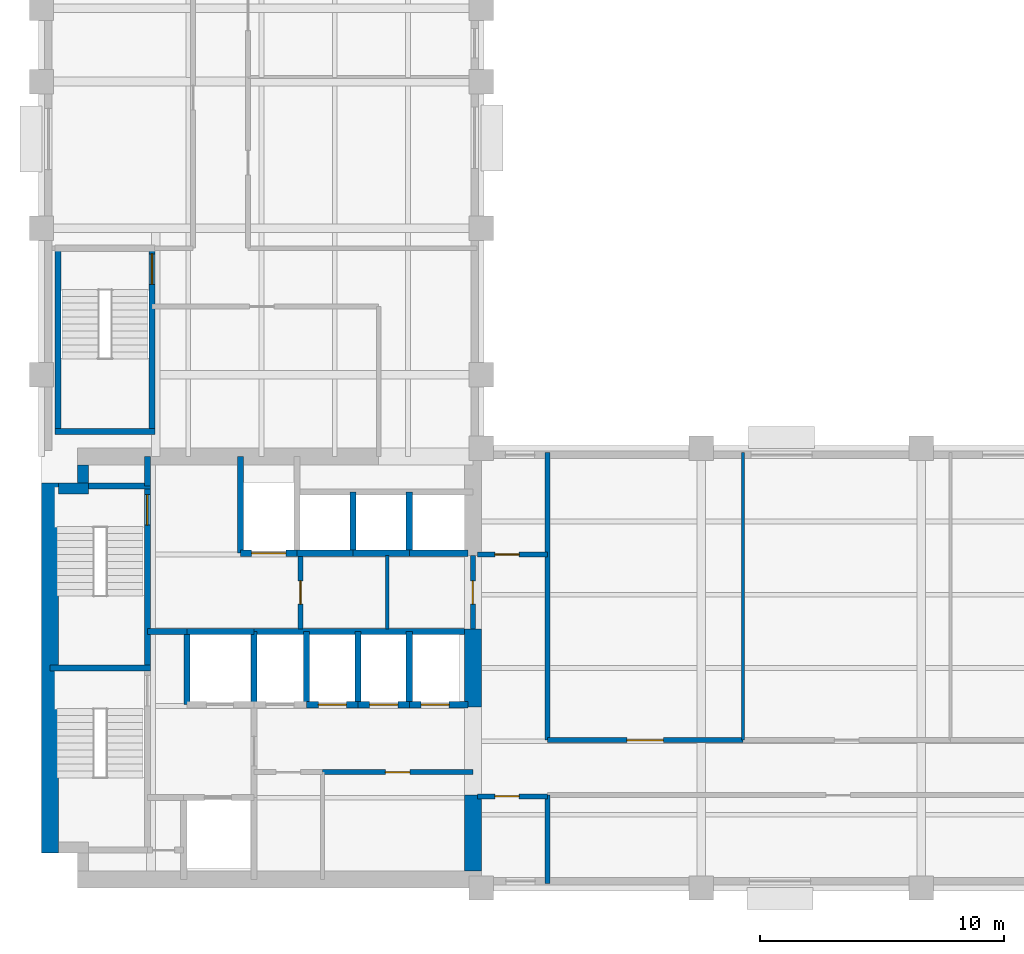
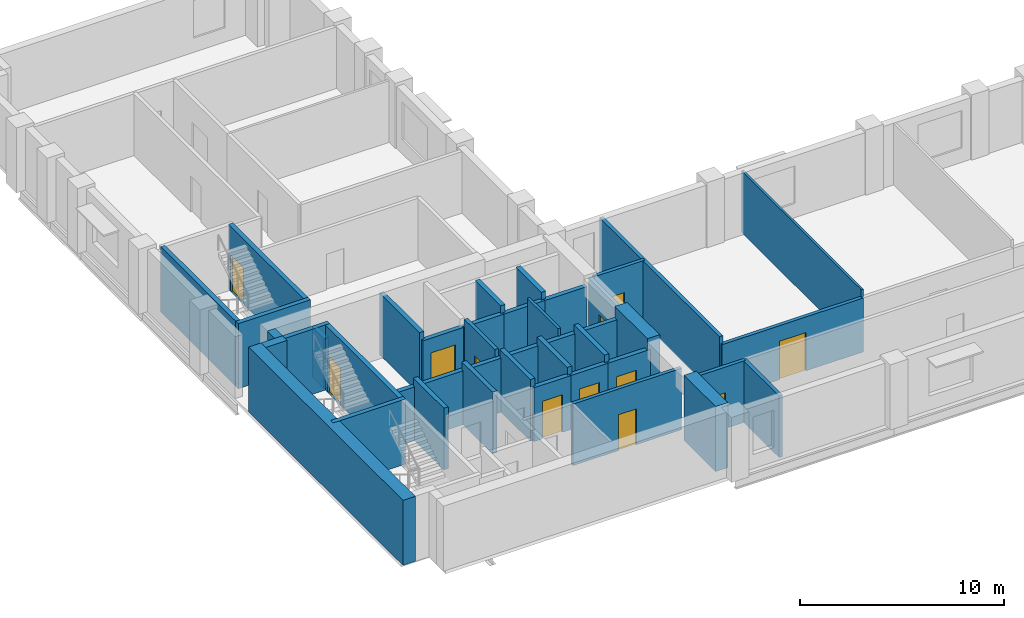
# One storey, part 3 of 8: 40 walls, 12 doors, 12 openings.
"""IFC4 building model written with IfcOpenShell, lengths in metres."""

from ifc_helpers import new_model, si_unit, direction, frame, frame_2d, origin, place, context, subcontext, project, spatial, rectangle, extrude, material, layer, layer_set, type_object, element, fill, save


model = new_model("IFC4")

# Units and contexts
model_context = context("Model", 3, precision=1e-05, world=origin(), true_north=direction((0.0, 1.0)))
body_context = subcontext(model_context, "Body", "Model", "MODEL_VIEW")
ifc_project = project(units=[si_unit("LENGTHUNIT", "METRE"), si_unit("AREAUNIT", "SQUARE_METRE"), si_unit("VOLUMEUNIT", "CUBIC_METRE"), si_unit("PLANEANGLEUNIT", "RADIAN"), si_unit("MASSUNIT", "GRAM", prefix="KILO")], contexts=[model_context])

# Site, building, storey
site_placement = place(None, origin())
site = spatial("IfcSite", under=ifc_project, at=site_placement, CompositionType="ELEMENT")
building_placement = place(site_placement, origin())
building = spatial("IfcBuilding", under=site, at=building_placement, Name="Mawjdan Bourse Tower", CompositionType="ELEMENT")
storey_placement = place(building_placement, frame((0.0, 0.0, 144.0)))
storey = spatial("IfcBuildingStorey", under=building, at=storey_placement, Name="L34", CompositionType="ELEMENT", Elevation=144.0)

# Wall, opening, door
ifc_material_1 = material(Name="Gypsum Fireboard Assembly")
ifc_layer_1 = layer(ifc_material_1, 0.199951171875)
ifc_layer_set_1 = layer_set([ifc_layer_1], Name="Gypsum Fireboard Assembly")
wall_type_1 = type_object("IfcWallType", Name="WL-CMP-200", PredefinedType="PARTITIONING", material=ifc_layer_set_1)
wall_1_placement = place(storey_placement, frame((17.5, 7.739990234375, 0.0), z_axis=(0.0, 0.0, 1.0), x_axis=(1.0, 0.0, 0.0)))
wall_1 = element("IfcWall", 1, at=wall_1_placement, inside=storey, type_object=wall_type_1, Name="L34 Reprographics & Pantry Suite North Wall", PredefinedType="PARTITIONING", context=body_context, shape_type="SweptSolid", body=[
    extrude(rectangle(XDim=6.14990234375, YDim=0.199951171875, at=frame_2d((3.074951171875, 0.0))), origin(), (0.0, 0.0, 1.0), 3.68994140625),
])
opening_1_placement = place(wall_1_placement, frame((2.574951171875, 0.0, 0.0)))
opening_1 = element("IfcOpeningElement", 2, at=opening_1_placement, cuts=wall_1, Name="Opening D-L34-11", PredefinedType="OPENING", context=body_context, shape_type="SweptSolid", body=[
    extrude(rectangle(XDim=1.0, YDim=2.14990234375, at=frame_2d((0.5, 1.074951171875))), frame((0.0, 0.10986328125, 0.0), z_axis=(0.0, -1.0, 0.0), x_axis=(1.0, 0.0, 0.0)), (0.0, 0.0, 1.0), 0.219970703125),
])
ifc_material_2 = material(Name="Hardwood Acoustic Leaf", Category="wood")
door_type_1 = type_object("IfcDoorType", Name="DR-OFC-1000", OperationType="NOTDEFINED", PredefinedType="DOOR", material=ifc_material_2)
door_1_placement = place(opening_1_placement, origin())
door_1 = element("IfcDoor", 3, at=door_1_placement, inside=storey, type_object=door_type_1, Name="L34 Reprographics & Pantry Suite Door D-L34-11", OperationType="SINGLE_SWING_RIGHT", OverallHeight=2.14990234375, OverallWidth=1.0, PredefinedType="DOOR", context=body_context, shape_type="SweptSolid", body=[
    extrude(rectangle(XDim=1.0, YDim=2.14990234375, at=frame_2d((0.5, 1.074951171875))), frame((0.0, 0.02490234375, 0.0), z_axis=(0.0, -1.0, 0.0), x_axis=(1.0, 0.0, 0.0)), (0.0, 0.0, 1.0), 0.050048828125),
])
fill(opening_1, door_1)

wall_2_placement = place(storey_placement, frame((16.60009765625, 13.60009765625, 0.0), z_axis=(0.0, 0.0, 1.0), x_axis=(0.0, 1.0, 0.0)))
wall_2 = element("IfcWall", 4, at=wall_2_placement, inside=storey, type_object=wall_type_1, Name="L34 Core Restroom West Wall", PredefinedType="PARTITIONING", context=body_context, shape_type="SweptSolid", body=[
    extrude(rectangle(XDim=3.0, YDim=0.199951171875, at=frame_2d((1.5, 0.0))), origin(), (0.0, 0.0, 1.0), 3.68994140625),
])
opening_2_placement = place(wall_2_placement, frame((1.02001953125, 0.0, 0.0)))
opening_2 = element("IfcOpeningElement", 5, at=opening_2_placement, cuts=wall_2, Name="Opening D-L34-16", PredefinedType="OPENING", context=body_context, shape_type="SweptSolid", body=[
    extrude(rectangle(XDim=0.949951171875, YDim=2.10009765625, at=frame_2d((0.47509765625, 1.050048828125))), frame((0.0, 0.10986328125, 0.0), z_axis=(0.0, -1.0, 0.0), x_axis=(1.0, 0.0, 0.0)), (0.0, 0.0, 1.0), 0.219970703125),
])
ifc_material_3 = material(Name="Moisture-Resistant Laminate Timber", Category="wood")
door_type_2 = type_object("IfcDoorType", Name="DR-WET-0950", OperationType="NOTDEFINED", PredefinedType="DOOR", material=ifc_material_3)
door_2_placement = place(opening_2_placement, origin())
door_2 = element("IfcDoor", 6, at=door_2_placement, inside=storey, type_object=door_type_2, Name="L34 Female Restroom Entry Door D-L34-16", OperationType="SINGLE_SWING_LEFT", OverallHeight=2.10009765625, OverallWidth=0.949951171875, PredefinedType="DOOR", context=body_context, shape_type="SweptSolid", body=[
    extrude(rectangle(XDim=0.949951171875, YDim=2.10009765625, at=frame_2d((0.47509765625, 1.050048828125))), frame((0.0, 0.02490234375, 0.0), z_axis=(0.0, -1.0, 0.0), x_axis=(1.0, 0.0, 0.0)), (0.0, 0.0, 1.0), 0.050048828125),
])
fill(opening_2, door_2)

wall_3_placement = place(storey_placement, frame((23.64990234375, 13.60009765625, 0.0), z_axis=(0.0, 0.0, 1.0), x_axis=(0.0, 1.0, 0.0)))
wall_3 = element("IfcWall", 7, at=wall_3_placement, inside=storey, type_object=wall_type_1, Name="L34 Core Restroom East Enclosing Wall", PredefinedType="PARTITIONING", context=body_context, shape_type="SweptSolid", body=[
    extrude(rectangle(XDim=3.0, YDim=0.199951171875, at=frame_2d((1.5, 0.0))), origin(), (0.0, 0.0, 1.0), 3.68994140625),
])
opening_3_placement = place(wall_3_placement, frame((1.02001953125, 0.0, 0.0)))
opening_3 = element("IfcOpeningElement", 8, at=opening_3_placement, cuts=wall_3, Name="Opening D-L34-17", PredefinedType="OPENING", context=body_context, shape_type="SweptSolid", body=[
    extrude(rectangle(XDim=0.949951171875, YDim=2.10009765625, at=frame_2d((0.47509765625, 1.050048828125))), frame((0.0, 0.10986328125, 0.0), z_axis=(0.0, -1.0, 0.0), x_axis=(1.0, 0.0, 0.0)), (0.0, 0.0, 1.0), 0.219970703125),
])
door_3_placement = place(opening_3_placement, origin())
door_3 = element("IfcDoor", 9, at=door_3_placement, inside=storey, type_object=door_type_2, Name="L34 Accessible WC East Entry Door D-L34-17", OperationType="SINGLE_SWING_RIGHT", OverallHeight=2.10009765625, OverallWidth=0.949951171875, PredefinedType="DOOR", context=body_context, shape_type="SweptSolid", body=[
    extrude(rectangle(XDim=0.949951171875, YDim=2.10009765625, at=frame_2d((0.47509765625, 1.050048828125))), frame((0.0, 0.02490234375, 0.0), z_axis=(0.0, -1.0, 0.0), x_axis=(1.0, 0.0, 0.0)), (0.0, 0.0, 1.0), 0.050048828125),
])
fill(opening_3, door_3)

wall_4_placement = place(storey_placement, frame((23.85009765625, 6.75, 0.0), z_axis=(0.0, 0.0, 1.0), x_axis=(1.0, 0.0, 0.0)))
wall_4 = element("IfcWall", 10, at=wall_4_placement, inside=storey, type_object=wall_type_1, Name="L34 West Pocket North Wall", PredefinedType="PARTITIONING", context=body_context, shape_type="SweptSolid", body=[
    extrude(rectangle(XDim=2.849853515625, YDim=0.199951171875, at=frame_2d((1.4248046875, 0.0))), origin(), (0.0, 0.0, 1.0), 3.68994140625),
])
opening_4_placement = place(wall_4_placement, frame((0.699951171875, 0.0, 0.0)))
opening_4 = element("IfcOpeningElement", 11, at=opening_4_placement, cuts=wall_4, Name="Opening D-L34-19", PredefinedType="OPENING", context=body_context, shape_type="SweptSolid", body=[
    extrude(rectangle(XDim=1.0, YDim=2.14990234375, at=frame_2d((0.5, 1.074951171875))), frame((0.0, 0.10986328125, 0.0), z_axis=(0.0, -1.0, 0.0), x_axis=(1.0, 0.0, 0.0)), (0.0, 0.0, 1.0), 0.219970703125),
])
door_4_placement = place(opening_4_placement, origin())
door_4 = element("IfcDoor", 12, at=door_4_placement, inside=storey, type_object=door_type_1, Name="L34 West Pocket Office Door D-L34-19", OperationType="SINGLE_SWING_RIGHT", OverallHeight=2.14990234375, OverallWidth=1.0, PredefinedType="DOOR", context=body_context, shape_type="SweptSolid", body=[
    extrude(rectangle(XDim=1.0, YDim=2.14990234375, at=frame_2d((0.5, 1.074951171875))), frame((0.0, 0.02490234375, 0.0), z_axis=(0.0, -1.0, 0.0), x_axis=(1.0, 0.0, 0.0)), (0.0, 0.0, 1.0), 0.050048828125),
])
fill(opening_4, door_4)

wall_5_placement = place(storey_placement, frame((23.85009765625, 16.64990234375, 0.0), z_axis=(0.0, 0.0, 1.0), x_axis=(1.0, 0.0, 0.0)))
wall_5 = element("IfcWall", 13, at=wall_5_placement, inside=storey, type_object=wall_type_1, Name="L34 West North Pocket Wall", PredefinedType="PARTITIONING", context=body_context, shape_type="SweptSolid", body=[
    extrude(rectangle(XDim=2.849853515625, YDim=0.199951171875, at=frame_2d((1.4248046875, 0.0))), origin(), (0.0, 0.0, 1.0), 3.68994140625),
])
opening_5_placement = place(wall_5_placement, frame((0.699951171875, 0.0, 0.0)))
opening_5 = element("IfcOpeningElement", 14, at=opening_5_placement, cuts=wall_5, Name="Opening D-L34-20", PredefinedType="OPENING", context=body_context, shape_type="SweptSolid", body=[
    extrude(rectangle(XDim=1.0, YDim=2.14990234375, at=frame_2d((0.5, 1.074951171875))), frame((0.0, 0.10986328125, 0.0), z_axis=(0.0, -1.0, 0.0), x_axis=(1.0, 0.0, 0.0)), (0.0, 0.0, 1.0), 0.219970703125),
])
door_5_placement = place(opening_5_placement, origin())
door_5 = element("IfcDoor", 15, at=door_5_placement, inside=storey, type_object=door_type_1, Name="L34 West North Pocket Door D-L34-20", OperationType="SINGLE_SWING_LEFT", OverallHeight=2.14990234375, OverallWidth=1.0, PredefinedType="DOOR", context=body_context, shape_type="SweptSolid", body=[
    extrude(rectangle(XDim=1.0, YDim=2.14990234375, at=frame_2d((0.5, 1.074951171875))), frame((0.0, 0.02490234375, 0.0), z_axis=(0.0, -1.0, 0.0), x_axis=(1.0, 0.0, 0.0)), (0.0, 0.0, 1.0), 0.050048828125),
])
fill(opening_5, door_5)

# Walls
wall_6_placement = place(storey_placement, frame((26.699951171875, 3.179931640625, 0.0), z_axis=(0.0, 0.0, 1.0), x_axis=(0.0, 1.0, 0.0)))
element("IfcWall", 16, at=wall_6_placement, inside=storey, type_object=wall_type_1, Name="L34 Vestibule South East Wall", PredefinedType="PARTITIONING", context=body_context, shape_type="SweptSolid", body=[
    extrude(rectangle(XDim=3.6201171875, YDim=0.199951171875, at=frame_2d((1.81005859375, 0.0))), origin(), (0.0, 0.0, 1.0), 3.68994140625),
])
wall_7_placement = place(storey_placement, frame((26.699951171875, 9.050048828125, 0.0), z_axis=(0.0, 0.0, 1.0), x_axis=(0.0, 1.0, 0.0)))
element("IfcWall", 17, at=wall_7_placement, inside=storey, type_object=wall_type_1, Name="L34 Vestibule North East Wall", PredefinedType="PARTITIONING", context=body_context, shape_type="SweptSolid", body=[
    extrude(rectangle(XDim=11.77001953125, YDim=0.199951171875, at=frame_2d((5.885009765625, 0.0))), origin(), (0.0, 0.0, 1.0), 3.68994140625),
])

# Wall, opening, door
wall_8_placement = place(storey_placement, frame((26.699951171875, 9.050048828125, 0.0), z_axis=(0.0, 0.0, 1.0), x_axis=(1.0, 0.0, 0.0)))
wall_8 = element("IfcWall", 18, at=wall_8_placement, inside=storey, type_object=wall_type_1, Name="L34 Conference Room Corridor Wall", PredefinedType="PARTITIONING", context=body_context, shape_type="SweptSolid", body=[
    extrude(rectangle(XDim=8.0, YDim=0.199951171875, at=frame_2d((4.0, 0.0))), origin(), (0.0, 0.0, 1.0), 3.23291015625),
])
opening_6_placement = place(wall_8_placement, frame((3.25, 0.0, 0.0)))
opening_6 = element("IfcOpeningElement", 19, at=opening_6_placement, cuts=wall_8, Name="Opening D-L34-22", PredefinedType="OPENING", context=body_context, shape_type="SweptSolid", body=[
    extrude(rectangle(XDim=1.5, YDim=2.300048828125, at=frame_2d((0.75, 1.14990234375))), frame((0.0, 0.10986328125, 0.0), z_axis=(0.0, -1.0, 0.0), x_axis=(1.0, 0.0, 0.0)), (0.0, 0.0, 1.0), 0.219970703125),
])
ifc_material_4 = material(Name="Acoustic Glazed Timber", Category="wood")
door_type_3 = type_object("IfcDoorType", Name="DR-CNF-1500", OperationType="DOUBLE_DOOR_SINGLE_SWING", PredefinedType="DOOR", material=ifc_material_4)
door_6_placement = place(opening_6_placement, origin())
door_6 = element("IfcDoor", 20, at=door_6_placement, inside=storey, type_object=door_type_3, Name="L34 Conference Room Door D-L34-22", OperationType="DOUBLE_DOOR_SINGLE_SWING", OverallHeight=2.300048828125, OverallWidth=1.5, PredefinedType="DOOR", context=body_context, shape_type="SweptSolid", body=[
    extrude(rectangle(XDim=1.5, YDim=2.300048828125, at=frame_2d((0.75, 1.14990234375))), frame((0.0, 0.02490234375, 0.0), z_axis=(0.0, -1.0, 0.0), x_axis=(1.0, 0.0, 0.0)), (0.0, 0.0, 1.0), 0.050048828125),
])
fill(opening_6, door_6)

# Walls
ifc_material_5 = material(Name="Concrete C60/75", Category="concrete")
ifc_layer_2 = layer(ifc_material_5, 0.449951171875)
ifc_layer_set_2 = layer_set([ifc_layer_2], Name="Concrete C60/75")
wall_type_2 = type_object("IfcWallType", Name="WL-CORE-450", PredefinedType="SHEAR", material=ifc_layer_set_2)
wall_9_placement = place(storey_placement, frame((6.699951171875, 19.35009765625, 0.0), z_axis=(0.0, 0.0, 1.0), x_axis=(1.0, 0.0, 0.0)))
element("IfcWall", 21, at=wall_9_placement, inside=storey, type_object=wall_type_2, Name="L34 Rear Core Shear Wall NW-X", PredefinedType="SHEAR", context=body_context, shape_type="SweptSolid", body=[
    extrude(rectangle(XDim=1.22509765625, YDim=0.449951171875, at=frame_2d((0.612548828125, 0.0))), origin(), (0.0, 0.0, 1.0), 3.89990234375),
])
wall_10_placement = place(storey_placement, frame((7.699951171875, 19.574951171875, 0.0), z_axis=(0.0, 0.0, 1.0), x_axis=(0.0, 1.0, 0.0)))
element("IfcWall", 22, at=wall_10_placement, inside=storey, type_object=wall_type_2, Name="L34 Rear Core Shear Wall NW-Y", PredefinedType="SHEAR", context=body_context, shape_type="SweptSolid", body=[
    extrude(rectangle(XDim=0.72509765625, YDim=0.449951171875, at=frame_2d((0.362548828125, 0.0))), origin(), (0.0, 0.0, 1.0), 3.89990234375),
])
ifc_material_6 = material(Name="Concrete C70/85", Category="concrete")
ifc_layer_3 = layer(ifc_material_6, 0.699951171875)
ifc_layer_set_3 = layer_set([ifc_layer_3], Name="Concrete C70/85")
wall_type_3 = type_object("IfcWallType", Name="WL-CORE-700", PredefinedType="SHEAR", material=ifc_layer_set_3)
wall_11_placement = place(storey_placement, frame((6.35009765625, 4.425048828125, 0.0), z_axis=(0.0, 0.0, 1.0), x_axis=(0.0, 1.0, 0.0)))
element("IfcWall", 23, at=wall_11_placement, inside=storey, type_object=wall_type_3, Name="L34 Rear Core Shear Wall W", PredefinedType="SHEAR", context=body_context, shape_type="SweptSolid", body=[
    extrude(rectangle(XDim=15.14990234375, YDim=0.699951171875, at=frame_2d((7.574951171875, 0.0))), origin(), (0.0, 0.0, 1.0), 3.89990234375),
])
wall_12_placement = place(storey_placement, frame((23.64990234375, 3.699951171875, 0.0), z_axis=(0.0, 0.0, 1.0), x_axis=(0.0, 1.0, 0.0)))
element("IfcWall", 24, at=wall_12_placement, inside=storey, type_object=wall_type_3, Name="L34 Rear Core Shear Wall E1", PredefinedType="SHEAR", context=body_context, shape_type="SweptSolid", body=[
    extrude(rectangle(XDim=3.10009765625, YDim=0.699951171875, at=frame_2d((1.550048828125, 0.0))), origin(), (0.0, 0.0, 1.0), 3.89990234375),
])
wall_13_placement = place(storey_placement, frame((23.64990234375, 10.39990234375, 0.0), z_axis=(0.0, 0.0, 1.0), x_axis=(0.0, 1.0, 0.0)))
element("IfcWall", 25, at=wall_13_placement, inside=storey, type_object=wall_type_3, Name="L34 Rear Core Shear Wall E2", PredefinedType="SHEAR", context=body_context, shape_type="SweptSolid", body=[
    extrude(rectangle(XDim=3.2001953125, YDim=0.699951171875, at=frame_2d((1.60009765625, 0.0))), origin(), (0.0, 0.0, 1.0), 3.89990234375),
])
ifc_material_7 = material(Name="Gypsum Partition")
ifc_layer_4 = layer(ifc_material_7, 0.125)
ifc_layer_set_4 = layer_set([ifc_layer_4], Name="Gypsum Partition")
wall_type_4 = type_object("IfcWallType", Name="WL-PRT-125", PredefinedType="PARTITIONING", material=ifc_layer_set_4)
wall_14_placement = place(storey_placement, frame((34.699951171875, 9.050048828125, 0.0), z_axis=(0.0, 0.0, 1.0), x_axis=(0.0, 1.0, 0.0)))
element("IfcWall", 26, at=wall_14_placement, inside=storey, type_object=wall_type_4, Name="L34 Executive Office Partition", PredefinedType="PARTITIONING", context=body_context, shape_type="SweptSolid", body=[
    extrude(rectangle(XDim=11.77001953125, YDim=0.125, at=frame_2d((5.885009765625, 0.0))), origin(), (0.0, 0.0, 1.0), 3.68994140625),
])
ifc_material_8 = material(Name="Gypsum Acoustic Partition")
ifc_layer_5 = layer(ifc_material_8, 0.14990234375)
ifc_layer_set_5 = layer_set([ifc_layer_5], Name="Gypsum Acoustic Partition")
wall_type_5 = type_object("IfcWallType", Name="WL-PRT-150", PredefinedType="PARTITIONING", material=ifc_layer_set_5)
wall_15_placement = place(storey_placement, frame((20.14990234375, 13.60009765625, 0.0), z_axis=(0.0, 0.0, 1.0), x_axis=(0.0, 1.0, 0.0)))
element("IfcWall", 27, at=wall_15_placement, inside=storey, type_object=wall_type_5, Name="L34 Core Restroom Vertical Split", PredefinedType="PARTITIONING", context=body_context, shape_type="SweptSolid", body=[
    extrude(rectangle(XDim=3.0, YDim=0.14990234375, at=frame_2d((1.5, 0.0))), origin(), (0.0, 0.0, 1.0), 3.68994140625),
])
ifc_material_9 = material(Name="Concrete C50/60", Category="concrete")
ifc_layer_6 = layer(ifc_material_9, 0.25)
ifc_layer_set_6 = layer_set([ifc_layer_6], Name="Concrete C50/60")
wall_type_6 = type_object("IfcWallType", Name="WL-SHFT-250", PredefinedType="PARTITIONING", material=ifc_layer_set_6)
wall_16_placement = place(storey_placement, frame((10.330078125, 19.449951171875, 0.0), z_axis=(0.0, 0.0, 1.0), x_axis=(0.0, 1.0, 0.0)))
element("IfcWall", 28, at=wall_16_placement, inside=storey, type_object=wall_type_6, Name="L34 NW Riser East Wall", PredefinedType="PARTITIONING", context=body_context, shape_type="SweptSolid", body=[
    extrude(rectangle(XDim=1.199951171875, YDim=0.25, at=frame_2d((0.60009765625, 0.0))), origin(), (0.0, 0.0, 1.0), 2.993896484375),
])
wall_17_placement = place(storey_placement, frame((11.949951171875, 10.5, 0.0), z_axis=(0.0, 0.0, 1.0), x_axis=(0.0, 1.0, 0.0)))
element("IfcWall", 29, at=wall_17_placement, inside=storey, type_object=wall_type_6, Name="L34 FFL-02 West Shaft Wall", PredefinedType="PARTITIONING", context=body_context, shape_type="SweptSolid", body=[
    extrude(rectangle(XDim=3.0, YDim=0.25, at=frame_2d((1.5, 0.0))), origin(), (0.0, 0.0, 1.0), 3.68994140625),
])
wall_18_placement = place(storey_placement, frame((11.949951171875, 13.5, 0.0), z_axis=(0.0, 0.0, 1.0), x_axis=(1.0, 0.0, 0.0)))
element("IfcWall", 30, at=wall_18_placement, inside=storey, type_object=wall_type_6, Name="L34 FFL-02 North Shaft Wall", PredefinedType="PARTITIONING", context=body_context, shape_type="SweptSolid", body=[
    extrude(rectangle(XDim=2.75, YDim=0.25, at=frame_2d((1.375, 0.0))), origin(), (0.0, 0.0, 1.0), 3.23291015625),
])
wall_19_placement = place(storey_placement, frame((14.699951171875, 10.5, 0.0), z_axis=(0.0, 0.0, 1.0), x_axis=(0.0, 1.0, 0.0)))
element("IfcWall", 31, at=wall_19_placement, inside=storey, type_object=wall_type_6, Name="L34 FFL-02 East Shaft Wall", PredefinedType="PARTITIONING", context=body_context, shape_type="SweptSolid", body=[
    extrude(rectangle(XDim=3.0, YDim=0.25, at=frame_2d((1.5, 0.0))), origin(), (0.0, 0.0, 1.0), 3.68994140625),
])
wall_20_placement = place(storey_placement, frame((10.330078125, 13.5, 0.0), z_axis=(0.0, 0.0, 1.0), x_axis=(1.0, 0.0, 0.0)))
element("IfcWall", 32, at=wall_20_placement, inside=storey, type_object=wall_type_6, Name="L34 Firefighting Lobby North Compartment Wall", PredefinedType="PARTITIONING", context=body_context, shape_type="SweptSolid", body=[
    extrude(rectangle(XDim=1.619873046875, YDim=0.25, at=frame_2d((0.81005859375, 0.0))), origin(), (0.0, 0.0, 1.0), 3.23291015625),
])

# Wall, opening, door
wall_21_placement = place(storey_placement, frame((14.14990234375, 16.699951171875, 0.0), z_axis=(0.0, 0.0, 1.0), x_axis=(1.0, 0.0, 0.0)))
wall_21 = element("IfcWall", 33, at=wall_21_placement, inside=storey, type_object=wall_type_6, Name="L34 SVL-01 Front Shaft Wall", PredefinedType="PARTITIONING", context=body_context, shape_type="SweptSolid", body=[
    extrude(rectangle(XDim=2.300048828125, YDim=0.25, at=frame_2d((1.14990234375, 0.0))), origin(), (0.0, 0.0, 1.0), 3.23291015625),
])
opening_7_placement = place(wall_21_placement, frame((0.449951171875, 0.0, 0.0)))
opening_7 = element("IfcOpeningElement", 34, at=opening_7_placement, cuts=wall_21, Name="Opening LD-L34-09", PredefinedType="OPENING", context=body_context, shape_type="SweptSolid", body=[
    extrude(rectangle(XDim=1.39990234375, YDim=2.35009765625, at=frame_2d((0.699951171875, 1.175048828125))), frame((0.0, 0.135009765625, 0.0), z_axis=(0.0, -1.0, 0.0), x_axis=(1.0, 0.0, 0.0)), (0.0, 0.0, 1.0), 0.27001953125),
])
ifc_material_10 = material(Name="Heavy-Duty Stainless Steel", Category="steel")
door_type_4 = type_object("IfcDoorType", Name="LD-SRV-1400", OperationType="DOUBLE_DOOR_SLIDING", PredefinedType="DOOR", material=ifc_material_10)
door_7_placement = place(opening_7_placement, origin())
door_7 = element("IfcDoor", 35, at=door_7_placement, inside=storey, type_object=door_type_4, Name="L34 Service Lift SVL-01 Landing Door LD-L34-09", OperationType="DOUBLE_DOOR_SLIDING", OverallHeight=2.35009765625, OverallWidth=1.39990234375, PredefinedType="DOOR", context=body_context, shape_type="SweptSolid", body=[
    extrude(rectangle(XDim=1.39990234375, YDim=2.35009765625, at=frame_2d((0.699951171875, 1.175048828125))), frame((0.0, 0.02490234375, 0.0), z_axis=(0.0, -1.0, 0.0), x_axis=(1.0, 0.0, 0.0)), (0.0, 0.0, 1.0), 0.050048828125),
])
fill(opening_7, door_7)

# Walls
wall_22_placement = place(storey_placement, frame((14.14990234375, 16.699951171875, 0.0), z_axis=(0.0, 0.0, 1.0), x_axis=(0.0, 1.0, 0.0)))
element("IfcWall", 36, at=wall_22_placement, inside=storey, type_object=wall_type_6, Name="L34 SVL-01 West Shaft Wall", PredefinedType="PARTITIONING", context=body_context, shape_type="SweptSolid", body=[
    extrude(rectangle(XDim=3.949951171875, YDim=0.25, at=frame_2d((1.97509765625, 0.0))), origin(), (0.0, 0.0, 1.0), 3.68994140625),
])
wall_23_placement = place(storey_placement, frame((16.449951171875, 16.699951171875, 0.0), z_axis=(0.0, 0.0, 1.0), x_axis=(1.0, 0.0, 0.0)))
element("IfcWall", 37, at=wall_23_placement, inside=storey, type_object=wall_type_6, Name="L34 PH-01 Front Wall", PredefinedType="PARTITIONING", context=body_context, shape_type="SweptSolid", body=[
    extrude(rectangle(XDim=2.300048828125, YDim=0.25, at=frame_2d((1.14990234375, 0.0))), origin(), (0.0, 0.0, 1.0), 3.23291015625),
])
wall_24_placement = place(storey_placement, frame((18.75, 16.699951171875, 0.0), z_axis=(0.0, 0.0, 1.0), x_axis=(0.0, 1.0, 0.0)))
element("IfcWall", 38, at=wall_24_placement, inside=storey, type_object=wall_type_6, Name="L34 PH-01 Divider Wall", PredefinedType="PARTITIONING", context=body_context, shape_type="SweptSolid", body=[
    extrude(rectangle(XDim=2.5, YDim=0.25, at=frame_2d((1.25, 0.0))), origin(), (0.0, 0.0, 1.0), 3.68994140625),
])
wall_25_placement = place(storey_placement, frame((18.75, 16.699951171875, 0.0), z_axis=(0.0, 0.0, 1.0), x_axis=(1.0, 0.0, 0.0)))
element("IfcWall", 39, at=wall_25_placement, inside=storey, type_object=wall_type_6, Name="L34 PH-02 Front Wall", PredefinedType="PARTITIONING", context=body_context, shape_type="SweptSolid", body=[
    extrude(rectangle(XDim=2.300048828125, YDim=0.25, at=frame_2d((1.14990234375, 0.0))), origin(), (0.0, 0.0, 1.0), 3.23291015625),
])
wall_26_placement = place(storey_placement, frame((21.050048828125, 16.699951171875, 0.0), z_axis=(0.0, 0.0, 1.0), x_axis=(0.0, 1.0, 0.0)))
element("IfcWall", 40, at=wall_26_placement, inside=storey, type_object=wall_type_6, Name="L34 PH-02 Divider Wall", PredefinedType="PARTITIONING", context=body_context, shape_type="SweptSolid", body=[
    extrude(rectangle(XDim=2.5, YDim=0.25, at=frame_2d((1.25, 0.0))), origin(), (0.0, 0.0, 1.0), 3.68994140625),
])
wall_27_placement = place(storey_placement, frame((21.050048828125, 16.699951171875, 0.0), z_axis=(0.0, 0.0, 1.0), x_axis=(1.0, 0.0, 0.0)))
element("IfcWall", 41, at=wall_27_placement, inside=storey, type_object=wall_type_6, Name="L34 PH-03 Front Wall", PredefinedType="PARTITIONING", context=body_context, shape_type="SweptSolid", body=[
    extrude(rectangle(XDim=2.39990234375, YDim=0.25, at=frame_2d((1.199951171875, 0.0))), origin(), (0.0, 0.0, 1.0), 3.23291015625),
])
wall_28_placement = place(storey_placement, frame((16.85009765625, 10.5, 0.0), z_axis=(0.0, 0.0, 1.0), x_axis=(0.0, 1.0, 0.0)))
element("IfcWall", 42, at=wall_28_placement, inside=storey, type_object=wall_type_6, Name="L34 PM-01 Divider Wall", PredefinedType="PARTITIONING", context=body_context, shape_type="SweptSolid", body=[
    extrude(rectangle(XDim=3.0, YDim=0.25, at=frame_2d((1.5, 0.0))), origin(), (0.0, 0.0, 1.0), 3.68994140625),
])

# Wall, opening, door
wall_29_placement = place(storey_placement, frame((16.85009765625, 10.5, 0.0), z_axis=(0.0, 0.0, 1.0), x_axis=(1.0, 0.0, 0.0)))
wall_29 = element("IfcWall", 43, at=wall_29_placement, inside=storey, type_object=wall_type_6, Name="L34 PM-02 Front Wall", PredefinedType="PARTITIONING", context=body_context, shape_type="SweptSolid", body=[
    extrude(rectangle(XDim=2.099853515625, YDim=0.25, at=frame_2d((1.0498046875, 0.0))), origin(), (0.0, 0.0, 1.0), 3.23291015625),
])
opening_8_placement = place(wall_29_placement, frame((0.47998046875, 0.0, 0.0)))
opening_8 = element("IfcOpeningElement", 44, at=opening_8_placement, cuts=wall_29, Name="Opening LD-L34-13", PredefinedType="OPENING", context=body_context, shape_type="SweptSolid", body=[
    extrude(rectangle(XDim=1.14990234375, YDim=2.25, at=frame_2d((0.574951171875, 1.125))), frame((0.0, 0.135009765625, 0.0), z_axis=(0.0, -1.0, 0.0), x_axis=(1.0, 0.0, 0.0)), (0.0, 0.0, 1.0), 0.27001953125),
])
ifc_material_11 = material(Name="Brushed Stainless Steel", Category="steel")
door_type_5 = type_object("IfcDoorType", Name="LD-PAS-1150", OperationType="DOUBLE_DOOR_SLIDING", PredefinedType="DOOR", material=ifc_material_11)
door_8_placement = place(opening_8_placement, origin())
door_8 = element("IfcDoor", 45, at=door_8_placement, inside=storey, type_object=door_type_5, Name="L34 Lift PM-02 Landing Door LD-L34-13", OperationType="DOUBLE_DOOR_SLIDING", OverallHeight=2.25, OverallWidth=1.14990234375, PredefinedType="DOOR", context=body_context, shape_type="SweptSolid", body=[
    extrude(rectangle(XDim=1.14990234375, YDim=2.25, at=frame_2d((0.574951171875, 1.125))), frame((0.0, 0.02490234375, 0.0), z_axis=(0.0, -1.0, 0.0), x_axis=(1.0, 0.0, 0.0)), (0.0, 0.0, 1.0), 0.050048828125),
])
fill(opening_8, door_8)

# Wall
wall_30_placement = place(storey_placement, frame((18.949951171875, 10.5, 0.0), z_axis=(0.0, 0.0, 1.0), x_axis=(0.0, 1.0, 0.0)))
element("IfcWall", 46, at=wall_30_placement, inside=storey, type_object=wall_type_6, Name="L34 PM-02 Divider Wall", PredefinedType="PARTITIONING", context=body_context, shape_type="SweptSolid", body=[
    extrude(rectangle(XDim=3.0, YDim=0.25, at=frame_2d((1.5, 0.0))), origin(), (0.0, 0.0, 1.0), 3.68994140625),
])

# Wall, opening, door
wall_31_placement = place(storey_placement, frame((18.949951171875, 10.5, 0.0), z_axis=(0.0, 0.0, 1.0), x_axis=(1.0, 0.0, 0.0)))
wall_31 = element("IfcWall", 47, at=wall_31_placement, inside=storey, type_object=wall_type_6, Name="L34 PM-03 Front Wall", PredefinedType="PARTITIONING", context=body_context, shape_type="SweptSolid", body=[
    extrude(rectangle(XDim=2.10009765625, YDim=0.25, at=frame_2d((1.050048828125, 0.0))), origin(), (0.0, 0.0, 1.0), 3.23291015625),
])
opening_9_placement = place(wall_31_placement, frame((0.47998046875, 0.0, 0.0)))
opening_9 = element("IfcOpeningElement", 48, at=opening_9_placement, cuts=wall_31, Name="Opening LD-L34-14", PredefinedType="OPENING", context=body_context, shape_type="SweptSolid", body=[
    extrude(rectangle(XDim=1.14990234375, YDim=2.25, at=frame_2d((0.574951171875, 1.125))), frame((0.0, 0.135009765625, 0.0), z_axis=(0.0, -1.0, 0.0), x_axis=(1.0, 0.0, 0.0)), (0.0, 0.0, 1.0), 0.27001953125),
])
door_9_placement = place(opening_9_placement, origin())
door_9 = element("IfcDoor", 49, at=door_9_placement, inside=storey, type_object=door_type_5, Name="L34 Lift PM-03 Landing Door LD-L34-14", OperationType="DOUBLE_DOOR_SLIDING", OverallHeight=2.25, OverallWidth=1.14990234375, PredefinedType="DOOR", context=body_context, shape_type="SweptSolid", body=[
    extrude(rectangle(XDim=1.14990234375, YDim=2.25, at=frame_2d((0.574951171875, 1.125))), frame((0.0, 0.02490234375, 0.0), z_axis=(0.0, -1.0, 0.0), x_axis=(1.0, 0.0, 0.0)), (0.0, 0.0, 1.0), 0.050048828125),
])
fill(opening_9, door_9)

# Wall
wall_32_placement = place(storey_placement, frame((21.050048828125, 10.5, 0.0), z_axis=(0.0, 0.0, 1.0), x_axis=(0.0, 1.0, 0.0)))
element("IfcWall", 50, at=wall_32_placement, inside=storey, type_object=wall_type_6, Name="L34 PM-03 Divider Wall", PredefinedType="PARTITIONING", context=body_context, shape_type="SweptSolid", body=[
    extrude(rectangle(XDim=3.0, YDim=0.25, at=frame_2d((1.5, 0.0))), origin(), (0.0, 0.0, 1.0), 3.68994140625),
])

# Wall, opening, door
wall_33_placement = place(storey_placement, frame((21.050048828125, 10.5, 0.0), z_axis=(0.0, 0.0, 1.0), x_axis=(1.0, 0.0, 0.0)))
wall_33 = element("IfcWall", 51, at=wall_33_placement, inside=storey, type_object=wall_type_6, Name="L34 PM-04 Front Wall", PredefinedType="PARTITIONING", context=body_context, shape_type="SweptSolid", body=[
    extrude(rectangle(XDim=2.39990234375, YDim=0.25, at=frame_2d((1.199951171875, 0.0))), origin(), (0.0, 0.0, 1.0), 3.23291015625),
])
opening_10_placement = place(wall_33_placement, frame((0.47998046875, 0.0, 0.0)))
opening_10 = element("IfcOpeningElement", 52, at=opening_10_placement, cuts=wall_33, Name="Opening LD-L34-15", PredefinedType="OPENING", context=body_context, shape_type="SweptSolid", body=[
    extrude(rectangle(XDim=1.14990234375, YDim=2.25, at=frame_2d((0.574951171875, 1.125))), frame((0.0, 0.135009765625, 0.0), z_axis=(0.0, -1.0, 0.0), x_axis=(1.0, 0.0, 0.0)), (0.0, 0.0, 1.0), 0.27001953125),
])
door_10_placement = place(opening_10_placement, origin())
door_10 = element("IfcDoor", 53, at=door_10_placement, inside=storey, type_object=door_type_5, Name="L34 Lift PM-04 Landing Door LD-L34-15", OperationType="DOUBLE_DOOR_SLIDING", OverallHeight=2.25, OverallWidth=1.14990234375, PredefinedType="DOOR", context=body_context, shape_type="SweptSolid", body=[
    extrude(rectangle(XDim=1.14990234375, YDim=2.25, at=frame_2d((0.574951171875, 1.125))), frame((0.0, 0.02490234375, 0.0), z_axis=(0.0, -1.0, 0.0), x_axis=(1.0, 0.0, 0.0)), (0.0, 0.0, 1.0), 0.050048828125),
])
fill(opening_10, door_10)

# Walls
wall_34_placement = place(storey_placement, frame((14.699951171875, 13.5, 0.0), z_axis=(0.0, 0.0, 1.0), x_axis=(1.0, 0.0, 0.0)))
element("IfcWall", 54, at=wall_34_placement, inside=storey, type_object=wall_type_6, Name="L34 PM Bank North Shaft Back Wall", PredefinedType="PARTITIONING", context=body_context, shape_type="SweptSolid", body=[
    extrude(rectangle(XDim=8.949951171875, YDim=0.25, at=frame_2d((4.47509765625, 0.0))), origin(), (0.0, 0.0, 1.0), 3.23291015625),
])
ifc_layer_7 = layer(ifc_material_9, 0.25)
ifc_layer_set_7 = layer_set([ifc_layer_7], Name="Concrete C50/60")
wall_type_7 = type_object("IfcWallType", Name="WL-STRW-250", PredefinedType="SHEAR", material=ifc_layer_set_7)
wall_35_placement = place(storey_placement, frame((6.35009765625, 12.0, 0.0), z_axis=(0.0, 0.0, 1.0), x_axis=(1.0, 0.0, 0.0)))
element("IfcWall", 55, at=wall_35_placement, inside=storey, type_object=wall_type_7, Name="L34 Stairwell Dividing Shaft Wall", PredefinedType="SHEAR", context=body_context, shape_type="SweptSolid", body=[
    extrude(rectangle(XDim=4.10498046875, YDim=0.25, at=frame_2d((2.052490234375, 0.0))), origin(), (0.0, 0.0, 1.0), 3.89990234375),
])
wall_36_placement = place(storey_placement, frame((7.699951171875, 19.449951171875, 0.0), z_axis=(0.0, 0.0, 1.0), x_axis=(1.0, 0.0, 0.0)))
element("IfcWall", 56, at=wall_36_placement, inside=storey, type_object=wall_type_7, Name="L34 Stairwell ST2 North Shaft Wall", PredefinedType="SHEAR", context=body_context, shape_type="SweptSolid", body=[
    extrude(rectangle(XDim=2.755126953125, YDim=0.25, at=frame_2d((1.37744140625, 0.0))), origin(), (0.0, 0.0, 1.0), 3.89990234375),
])

# Wall, opening, door
wall_37_placement = place(storey_placement, frame((10.330078125, 12.0, 0.0), z_axis=(0.0, 0.0, 1.0), x_axis=(0.0, 1.0, 0.0)))
wall_37 = element("IfcWall", 57, at=wall_37_placement, inside=storey, type_object=wall_type_7, Name="L34 Stairwell ST2 East Enclosure Wall", PredefinedType="SHEAR", context=body_context, shape_type="SweptSolid", body=[
    extrude(rectangle(XDim=7.449951171875, YDim=0.25, at=frame_2d((3.72509765625, 0.0))), origin(), (0.0, 0.0, 1.0), 3.89990234375),
])
opening_11_placement = place(wall_37_placement, frame((5.85009765625, 0.0, 0.0)))
opening_11 = element("IfcOpeningElement", 58, at=opening_11_placement, cuts=wall_37, Name="Opening SD-L34-02", PredefinedType="OPENING", context=body_context, shape_type="SweptSolid", body=[
    extrude(rectangle(XDim=1.25, YDim=2.199951171875, at=frame_2d((0.625, 1.10009765625))), frame((0.0, 0.135009765625, 0.0), z_axis=(0.0, -1.0, 0.0), x_axis=(1.0, 0.0, 0.0)), (0.0, 0.0, 1.0), 0.27001953125),
])
ifc_material_12 = material(Name="Fire-Rated Steel Leaf", Category="steel")
door_type_6 = type_object("IfcDoorType", Name="FD-ST-1250", OperationType="NOTDEFINED", PredefinedType="DOOR", material=ifc_material_12)
door_11_placement = place(opening_11_placement, origin())
door_11 = element("IfcDoor", 59, at=door_11_placement, inside=storey, type_object=door_type_6, Name="L34 Exit Stair ST2 Fire Door SD-L34-02", OperationType="SINGLE_SWING_RIGHT", OverallHeight=2.199951171875, OverallWidth=1.25, PredefinedType="DOOR", context=body_context, shape_type="SweptSolid", body=[
    extrude(rectangle(XDim=1.25, YDim=2.199951171875, at=frame_2d((0.625, 1.10009765625))), frame((0.0, 0.02490234375, 0.0), z_axis=(0.0, -1.0, 0.0), x_axis=(1.0, 0.0, 0.0)), (0.0, 0.0, 1.0), 0.050048828125),
])
fill(opening_11, door_11)

# Walls
wall_38_placement = place(storey_placement, frame((6.554931640625, 21.679931640625, 0.0), z_axis=(0.0, 0.0, 1.0), x_axis=(1.0, 0.0, 0.0)))
element("IfcWall", 60, at=wall_38_placement, inside=storey, type_object=wall_type_7, Name="L34 ST3 South Shaft Wall", PredefinedType="SHEAR", context=body_context, shape_type="SweptSolid", body=[
    extrude(rectangle(XDim=4.090087890625, YDim=0.25, at=frame_2d((2.044921875, 0.0))), origin(), (0.0, 0.0, 1.0), 3.89990234375),
])
wall_39_placement = place(storey_placement, frame((6.679931640625, 21.679931640625, 0.0), z_axis=(0.0, 0.0, 1.0), x_axis=(0.0, 1.0, 0.0)))
element("IfcWall", 61, at=wall_39_placement, inside=storey, type_object=wall_type_7, Name="L34 ST3 West Shaft Wall", PredefinedType="SHEAR", context=body_context, shape_type="SweptSolid", body=[
    extrude(rectangle(XDim=7.5, YDim=0.25, at=frame_2d((3.75, 0.0))), origin(), (0.0, 0.0, 1.0), 3.89990234375),
])

# Wall, opening, door
wall_40_placement = place(storey_placement, frame((10.52001953125, 21.679931640625, 0.0), z_axis=(0.0, 0.0, 1.0), x_axis=(0.0, 1.0, 0.0)))
wall_40 = element("IfcWall", 62, at=wall_40_placement, inside=storey, type_object=wall_type_7, Name="L34 ST3 East Shaft Wall", PredefinedType="SHEAR", context=body_context, shape_type="SweptSolid", body=[
    extrude(rectangle(XDim=7.5, YDim=0.25, at=frame_2d((3.75, 0.0))), origin(), (0.0, 0.0, 1.0), 3.89990234375),
])
opening_12_placement = place(wall_40_placement, frame((6.02001953125, 0.0, 0.0)))
opening_12 = element("IfcOpeningElement", 63, at=opening_12_placement, cuts=wall_40, Name="Opening SD-L34-18", PredefinedType="OPENING", context=body_context, shape_type="SweptSolid", body=[
    extrude(rectangle(XDim=1.25, YDim=2.199951171875, at=frame_2d((0.625, 1.10009765625))), frame((0.0, 0.135009765625, 0.0), z_axis=(0.0, -1.0, 0.0), x_axis=(1.0, 0.0, 0.0)), (0.0, 0.0, 1.0), 0.27001953125),
])
door_12_placement = place(opening_12_placement, origin())
door_12 = element("IfcDoor", 64, at=door_12_placement, inside=storey, type_object=door_type_6, Name="L34 Stair ST3 Fire Door SD-L34-18", OperationType="SINGLE_SWING_LEFT", OverallHeight=2.199951171875, OverallWidth=1.25, PredefinedType="DOOR", context=body_context, shape_type="SweptSolid", body=[
    extrude(rectangle(XDim=1.25, YDim=2.199951171875, at=frame_2d((0.625, 1.10009765625))), frame((0.0, 0.02490234375, 0.0), z_axis=(0.0, -1.0, 0.0), x_axis=(1.0, 0.0, 0.0)), (0.0, 0.0, 1.0), 0.050048828125),
])
fill(opening_12, door_12)

save(model, "model.ifc")
